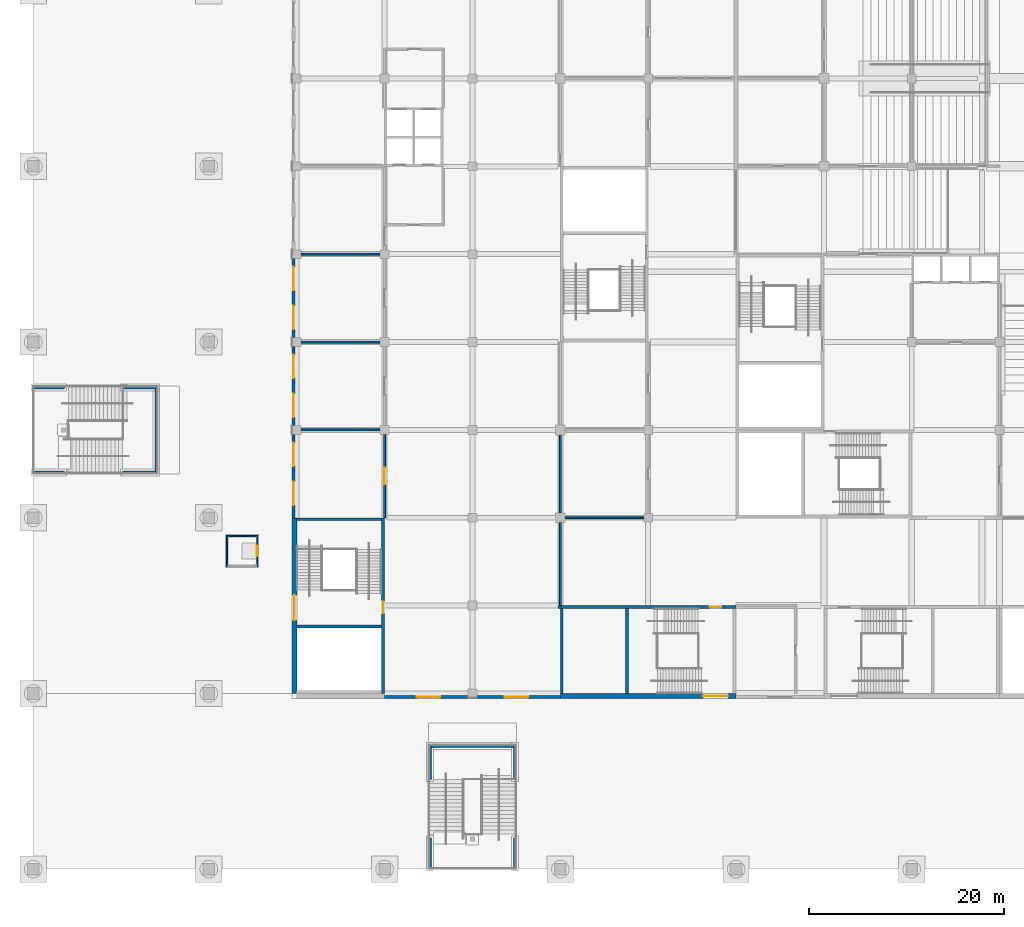
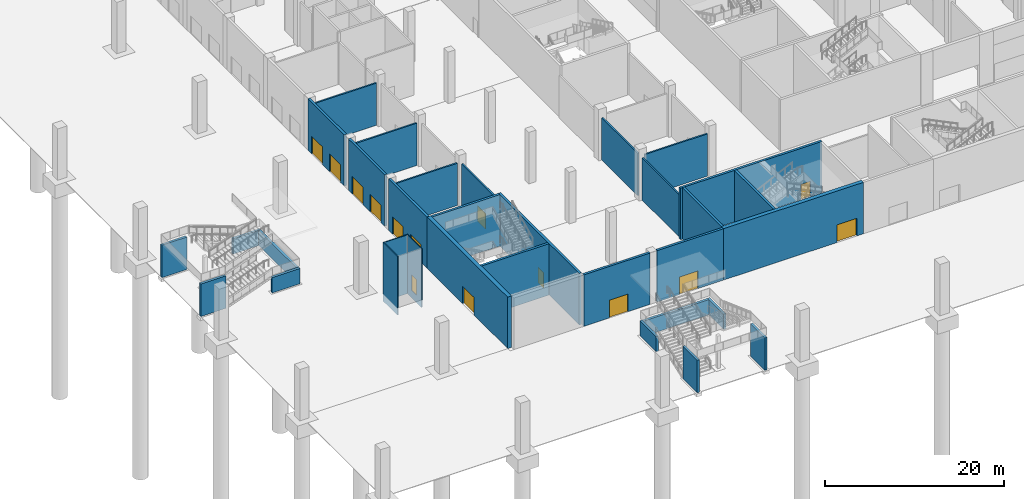
# One storey, part 22 of 92: 33 walls, 14 doors, 14 openings.
"""IFC4 building model written with IfcOpenShell, lengths in metres."""

from ifc_helpers import new_model, si_unit, direction, frame, frame_2d, origin, place, context, subcontext, project, spatial, rectangle, extrude, material, layer, layer_set, type_object, element, fill, save


model = new_model("IFC4")

# Units and contexts
model_context = context("Model", 3, precision=1e-05, world=origin(), true_north=direction((0.0, 1.0)))
body_context = subcontext(model_context, "Body", "Model", "MODEL_VIEW")
ifc_project = project(units=[si_unit("LENGTHUNIT", "METRE"), si_unit("AREAUNIT", "SQUARE_METRE"), si_unit("VOLUMEUNIT", "CUBIC_METRE"), si_unit("PLANEANGLEUNIT", "RADIAN"), si_unit("MASSUNIT", "GRAM", prefix="KILO")], contexts=[model_context])

# Site, building, storey
site_placement = place(None, origin())
site = spatial("IfcSite", under=ifc_project, at=site_placement, CompositionType="ELEMENT")
building_placement = place(site_placement, origin())
building = spatial("IfcBuilding", under=site, at=building_placement, Name="Silverbay Arena", CompositionType="ELEMENT")
storey_placement = place(building_placement, origin())
storey = spatial("IfcBuildingStorey", under=building, at=storey_placement, Name="L00", CompositionType="ELEMENT", Elevation=0.0)

# Wall, opening, door
ifc_material_1 = material(Name="Concrete Grade C45 precast, board-marked finish", Category="concrete")
ifc_layer_1 = layer(ifc_material_1, 0.300048828125)
ifc_layer_set_1 = layer_set([ifc_layer_1], Name="Concrete Grade C45 precast, board-marked finish")
wall_type_1 = type_object("IfcWallType", Name="Board-marked precast wall 300", PredefinedType="SOLIDWALL", material=ifc_layer_set_1)
wall_1_placement = place(storey_placement, frame((36.0, 17.64990234375, 0.0), z_axis=(0.0, 0.0, 1.0), x_axis=(1.0, 0.0, 0.0)))
wall_1 = element("IfcWall", 1, at=wall_1_placement, inside=storey, type_object=wall_type_1, Name="South external wall L00 bay 2", PredefinedType="SOLIDWALL", context=body_context, shape_type="SweptSolid", body=[
    extrude(rectangle(XDim=8.550048828125, YDim=0.300048828125, at=frame_2d((4.27490234375, 0.0))), origin(), (0.0, 0.0, 1.0), 7.0),
])
opening_1_placement = place(wall_1_placement, frame((3.300048828125, 0.0, 0.0)))
opening_1 = element("IfcOpeningElement", 2, at=opening_1_placement, cuts=wall_1, Name="Opening L00-110", PredefinedType="OPENING", context=body_context, shape_type="SweptSolid", body=[
    extrude(rectangle(XDim=2.39990234375, YDim=2.39990234375, at=frame_2d((1.199951171875, 1.199951171875))), frame((0.0, 0.16015625, 0.0), z_axis=(0.0, -1.0, 0.0), x_axis=(1.0, 0.0, 0.0)), (0.0, 0.0, 1.0), 0.320068359375),
])
ifc_material_2 = material(Name="Steel", Category="steel")
door_type_1 = type_object("IfcDoorType", Name="Exit gate door 2400 x 2400", OperationType="DOUBLE_DOOR_SINGLE_SWING", PredefinedType="DOOR", material=ifc_material_2)
door_1_placement = place(opening_1_placement, frame((2.39990234375, 0.0, 0.0), z_axis=(0.0, 0.0, 1.0), x_axis=(-1.0, 0.0, 0.0)))
door_1 = element("IfcDoor", 3, at=door_1_placement, inside=storey, type_object=door_type_1, Name="Pedestrian exit gate G1", OperationType="DOUBLE_DOOR_SINGLE_SWING", OverallHeight=2.39990234375, OverallWidth=2.39990234375, PredefinedType="DOOR", context=body_context, shape_type="SweptSolid", body=[
    extrude(rectangle(XDim=2.39990234375, YDim=2.39990234375, at=frame_2d((1.199951171875, 1.199951171875))), frame((0.0, 0.02490234375, 0.0), z_axis=(0.0, -1.0, 0.0), x_axis=(1.0, 0.0, 0.0)), (0.0, 0.0, 1.0), 0.050048828125),
])
fill(opening_1, door_1)

wall_2_placement = place(storey_placement, frame((45.449951171875, 17.64990234375, 0.0), z_axis=(0.0, 0.0, 1.0), x_axis=(1.0, 0.0, 0.0)))
wall_2 = element("IfcWall", 4, at=wall_2_placement, inside=storey, type_object=wall_type_1, Name="South external wall L00 bay 3", PredefinedType="SOLIDWALL", context=body_context, shape_type="SweptSolid", body=[
    extrude(rectangle(XDim=8.550048828125, YDim=0.300048828125, at=frame_2d((4.27490234375, 0.0))), origin(), (0.0, 0.0, 1.0), 7.0),
])
opening_2_placement = place(wall_2_placement, frame((2.85009765625, 0.0, 0.0)))
opening_2 = element("IfcOpeningElement", 5, at=opening_2_placement, cuts=wall_2, Name="Opening L00-111", PredefinedType="OPENING", context=body_context, shape_type="SweptSolid", body=[
    extrude(rectangle(XDim=2.39990234375, YDim=2.39990234375, at=frame_2d((1.199951171875, 1.199951171875))), frame((0.0, 0.16015625, 0.0), z_axis=(0.0, -1.0, 0.0), x_axis=(1.0, 0.0, 0.0)), (0.0, 0.0, 1.0), 0.320068359375),
])
door_2_placement = place(opening_2_placement, frame((2.39990234375, 0.0, 0.0), z_axis=(0.0, 0.0, 1.0), x_axis=(-1.0, 0.0, 0.0)))
door_2 = element("IfcDoor", 6, at=door_2_placement, inside=storey, type_object=door_type_1, Name="Pedestrian exit gate G2", OperationType="DOUBLE_DOOR_SINGLE_SWING", OverallHeight=2.39990234375, OverallWidth=2.39990234375, PredefinedType="DOOR", context=body_context, shape_type="SweptSolid", body=[
    extrude(rectangle(XDim=2.39990234375, YDim=2.39990234375, at=frame_2d((1.199951171875, 1.199951171875))), frame((0.0, 0.02490234375, 0.0), z_axis=(0.0, -1.0, 0.0), x_axis=(1.0, 0.0, 0.0)), (0.0, 0.0, 1.0), 0.050048828125),
])
fill(opening_2, door_2)

# Wall, openings, doors
wall_3_placement = place(storey_placement, frame((26.64990234375, 44.550048828125, 0.0), z_axis=(0.0, 0.0, 1.0), x_axis=(0.0, -1.0, 0.0)))
wall_3 = element("IfcWall", 7, at=wall_3_placement, inside=storey, type_object=wall_type_1, Name="West external wall L00 bay 3", PredefinedType="SOLIDWALL", context=body_context, shape_type="SweptSolid", body=[
    extrude(rectangle(XDim=8.550048828125, YDim=0.300048828125, at=frame_2d((4.27490234375, 0.0))), origin(), (0.0, 0.0, 1.0), 7.0),
])
opening_3_placement = place(wall_3_placement, frame((4.85009765625, 0.0, 0.0)))
opening_3 = element("IfcOpeningElement", 8, at=opening_3_placement, cuts=wall_3, Name="Opening L00-138", PredefinedType="OPENING", context=body_context, shape_type="SweptSolid", body=[
    extrude(rectangle(XDim=2.39990234375, YDim=2.39990234375, at=frame_2d((1.199951171875, 1.199951171875))), frame((0.0, 0.16015625, 0.0), z_axis=(0.0, -1.0, 0.0), x_axis=(1.0, 0.0, 0.0)), (0.0, 0.0, 1.0), 0.320068359375),
])
opening_4_placement = place(wall_3_placement, frame((0.85009765625, 0.0, 0.0)))
opening_4 = element("IfcOpeningElement", 9, at=opening_4_placement, cuts=wall_3, Name="Opening L00-139", PredefinedType="OPENING", context=body_context, shape_type="SweptSolid", body=[
    extrude(rectangle(XDim=2.39990234375, YDim=2.39990234375, at=frame_2d((1.199951171875, 1.199951171875))), frame((0.0, 0.16015625, 0.0), z_axis=(0.0, -1.0, 0.0), x_axis=(1.0, 0.0, 0.0)), (0.0, 0.0, 1.0), 0.320068359375),
])
door_3_placement = place(opening_3_placement, frame((2.39990234375, 0.0, 0.0), z_axis=(0.0, 0.0, 1.0), x_axis=(-1.0, 0.0, 0.0)))
door_3 = element("IfcDoor", 10, at=door_3_placement, inside=storey, type_object=door_type_1, Name="Pedestrian exit gate G9", OperationType="DOUBLE_DOOR_SINGLE_SWING", OverallHeight=2.39990234375, OverallWidth=2.39990234375, PredefinedType="DOOR", context=body_context, shape_type="SweptSolid", body=[
    extrude(rectangle(XDim=2.39990234375, YDim=2.39990234375, at=frame_2d((1.199951171875, 1.199951171875))), frame((0.0, 0.02490234375, 0.0), z_axis=(0.0, -1.0, 0.0), x_axis=(1.0, 0.0, 0.0)), (0.0, 0.0, 1.0), 0.050048828125),
])
fill(opening_3, door_3)
door_4_placement = place(opening_4_placement, frame((2.39990234375, 0.0, 0.0), z_axis=(0.0, 0.0, 1.0), x_axis=(-1.0, 0.0, 0.0)))
door_4 = element("IfcDoor", 11, at=door_4_placement, inside=storey, type_object=door_type_1, Name="Pedestrian exit gate G10", OperationType="DOUBLE_DOOR_SINGLE_SWING", OverallHeight=2.39990234375, OverallWidth=2.39990234375, PredefinedType="DOOR", context=body_context, shape_type="SweptSolid", body=[
    extrude(rectangle(XDim=2.39990234375, YDim=2.39990234375, at=frame_2d((1.199951171875, 1.199951171875))), frame((0.0, 0.02490234375, 0.0), z_axis=(0.0, -1.0, 0.0), x_axis=(1.0, 0.0, 0.0)), (0.0, 0.0, 1.0), 0.050048828125),
])
fill(opening_4, door_4)

wall_4_placement = place(storey_placement, frame((26.64990234375, 53.550048828125, 0.0), z_axis=(0.0, 0.0, 1.0), x_axis=(0.0, -1.0, 0.0)))
wall_4 = element("IfcWall", 12, at=wall_4_placement, inside=storey, type_object=wall_type_1, Name="West external wall L00 bay 4", PredefinedType="SOLIDWALL", context=body_context, shape_type="SweptSolid", body=[
    extrude(rectangle(XDim=8.10009765625, YDim=0.300048828125, at=frame_2d((4.050048828125, 0.0))), origin(), (0.0, 0.0, 1.0), 7.0),
])
opening_5_placement = place(wall_4_placement, frame((4.85009765625, 0.0, 0.0)))
opening_5 = element("IfcOpeningElement", 13, at=opening_5_placement, cuts=wall_4, Name="Opening L00-140", PredefinedType="OPENING", context=body_context, shape_type="SweptSolid", body=[
    extrude(rectangle(XDim=2.39990234375, YDim=2.39990234375, at=frame_2d((1.199951171875, 1.199951171875))), frame((0.0, 0.16015625, 0.0), z_axis=(0.0, -1.0, 0.0), x_axis=(1.0, 0.0, 0.0)), (0.0, 0.0, 1.0), 0.320068359375),
])
opening_6_placement = place(wall_4_placement, frame((0.85009765625, 0.0, 0.0)))
opening_6 = element("IfcOpeningElement", 14, at=opening_6_placement, cuts=wall_4, Name="Opening L00-141", PredefinedType="OPENING", context=body_context, shape_type="SweptSolid", body=[
    extrude(rectangle(XDim=2.39990234375, YDim=2.39990234375, at=frame_2d((1.199951171875, 1.199951171875))), frame((0.0, 0.16015625, 0.0), z_axis=(0.0, -1.0, 0.0), x_axis=(1.0, 0.0, 0.0)), (0.0, 0.0, 1.0), 0.320068359375),
])
door_5_placement = place(opening_5_placement, frame((2.39990234375, 0.0, 0.0), z_axis=(0.0, 0.0, 1.0), x_axis=(-1.0, 0.0, 0.0)))
door_5 = element("IfcDoor", 15, at=door_5_placement, inside=storey, type_object=door_type_1, Name="Pedestrian exit gate G11", OperationType="DOUBLE_DOOR_SINGLE_SWING", OverallHeight=2.39990234375, OverallWidth=2.39990234375, PredefinedType="DOOR", context=body_context, shape_type="SweptSolid", body=[
    extrude(rectangle(XDim=2.39990234375, YDim=2.39990234375, at=frame_2d((1.199951171875, 1.199951171875))), frame((0.0, 0.02490234375, 0.0), z_axis=(0.0, -1.0, 0.0), x_axis=(1.0, 0.0, 0.0)), (0.0, 0.0, 1.0), 0.050048828125),
])
fill(opening_5, door_5)
door_6_placement = place(opening_6_placement, frame((2.39990234375, 0.0, 0.0), z_axis=(0.0, 0.0, 1.0), x_axis=(-1.0, 0.0, 0.0)))
door_6 = element("IfcDoor", 16, at=door_6_placement, inside=storey, type_object=door_type_1, Name="Pedestrian exit gate G12", OperationType="DOUBLE_DOOR_SINGLE_SWING", OverallHeight=2.39990234375, OverallWidth=2.39990234375, PredefinedType="DOOR", context=body_context, shape_type="SweptSolid", body=[
    extrude(rectangle(XDim=2.39990234375, YDim=2.39990234375, at=frame_2d((1.199951171875, 1.199951171875))), frame((0.0, 0.02490234375, 0.0), z_axis=(0.0, -1.0, 0.0), x_axis=(1.0, 0.0, 0.0)), (0.0, 0.0, 1.0), 0.050048828125),
])
fill(opening_6, door_6)

wall_5_placement = place(storey_placement, frame((26.64990234375, 62.550048828125, 0.0), z_axis=(0.0, 0.0, 1.0), x_axis=(0.0, -1.0, 0.0)))
wall_5 = element("IfcWall", 17, at=wall_5_placement, inside=storey, type_object=wall_type_1, Name="West external wall L00 bay 5", PredefinedType="SOLIDWALL", context=body_context, shape_type="SweptSolid", body=[
    extrude(rectangle(XDim=8.10009765625, YDim=0.300048828125, at=frame_2d((4.050048828125, 0.0))), origin(), (0.0, 0.0, 1.0), 7.0),
])
opening_7_placement = place(wall_5_placement, frame((4.85009765625, 0.0, 0.0)))
opening_7 = element("IfcOpeningElement", 18, at=opening_7_placement, cuts=wall_5, Name="Opening L00-142", PredefinedType="OPENING", context=body_context, shape_type="SweptSolid", body=[
    extrude(rectangle(XDim=2.39990234375, YDim=2.39990234375, at=frame_2d((1.199951171875, 1.199951171875))), frame((0.0, 0.16015625, 0.0), z_axis=(0.0, -1.0, 0.0), x_axis=(1.0, 0.0, 0.0)), (0.0, 0.0, 1.0), 0.320068359375),
])
opening_8_placement = place(wall_5_placement, frame((0.85009765625, 0.0, 0.0)))
opening_8 = element("IfcOpeningElement", 19, at=opening_8_placement, cuts=wall_5, Name="Opening L00-143", PredefinedType="OPENING", context=body_context, shape_type="SweptSolid", body=[
    extrude(rectangle(XDim=2.39990234375, YDim=2.39990234375, at=frame_2d((1.199951171875, 1.199951171875))), frame((0.0, 0.16015625, 0.0), z_axis=(0.0, -1.0, 0.0), x_axis=(1.0, 0.0, 0.0)), (0.0, 0.0, 1.0), 0.320068359375),
])
door_7_placement = place(opening_7_placement, frame((2.39990234375, 0.0, 0.0), z_axis=(0.0, 0.0, 1.0), x_axis=(-1.0, 0.0, 0.0)))
door_7 = element("IfcDoor", 20, at=door_7_placement, inside=storey, type_object=door_type_1, Name="Pedestrian exit gate G13", OperationType="DOUBLE_DOOR_SINGLE_SWING", OverallHeight=2.39990234375, OverallWidth=2.39990234375, PredefinedType="DOOR", context=body_context, shape_type="SweptSolid", body=[
    extrude(rectangle(XDim=2.39990234375, YDim=2.39990234375, at=frame_2d((1.199951171875, 1.199951171875))), frame((0.0, 0.02490234375, 0.0), z_axis=(0.0, -1.0, 0.0), x_axis=(1.0, 0.0, 0.0)), (0.0, 0.0, 1.0), 0.050048828125),
])
fill(opening_7, door_7)
door_8_placement = place(opening_8_placement, frame((2.39990234375, 0.0, 0.0), z_axis=(0.0, 0.0, 1.0), x_axis=(-1.0, 0.0, 0.0)))
door_8 = element("IfcDoor", 21, at=door_8_placement, inside=storey, type_object=door_type_1, Name="Pedestrian exit gate G14", OperationType="DOUBLE_DOOR_SINGLE_SWING", OverallHeight=2.39990234375, OverallWidth=2.39990234375, PredefinedType="DOOR", context=body_context, shape_type="SweptSolid", body=[
    extrude(rectangle(XDim=2.39990234375, YDim=2.39990234375, at=frame_2d((1.199951171875, 1.199951171875))), frame((0.0, 0.02490234375, 0.0), z_axis=(0.0, -1.0, 0.0), x_axis=(1.0, 0.0, 0.0)), (0.0, 0.0, 1.0), 0.050048828125),
])
fill(opening_8, door_8)

# Wall, opening, door
ifc_material_3 = material(Name="Concrete Grade C45", Category="concrete")
ifc_layer_2 = layer(ifc_material_3, 0.300048828125)
ifc_layer_set_2 = layer_set([ifc_layer_2], Name="Concrete Grade C45")
wall_type_2 = type_object("IfcWallType", Name="Core wall RC 300 EI 120", PredefinedType="SHEAR", material=ifc_layer_set_2)
wall_6_placement = place(storey_placement, frame((72.0, 26.85009765625, 0.0), z_axis=(0.0, 0.0, 1.0), x_axis=(-1.0, 0.0, 0.0)))
wall_6 = element("IfcWall", 22, at=wall_6_placement, inside=storey, type_object=wall_type_2, Name="Core wall ST-S5 L00 door side", PredefinedType="SHEAR", context=body_context, shape_type="SweptSolid", body=[
    extrude(rectangle(XDim=18.25, YDim=0.300048828125, at=frame_2d((9.125, 0.0))), origin(), (0.0, 0.0, 1.0), 7.0),
])
opening_9_placement = place(wall_6_placement, frame((1.5, 0.0, 0.0)))
opening_9 = element("IfcOpeningElement", 23, at=opening_9_placement, cuts=wall_6, Name="Opening L00-174", PredefinedType="OPENING", context=body_context, shape_type="SweptSolid", body=[
    extrude(rectangle(XDim=1.199951171875, YDim=2.10009765625, at=frame_2d((0.60009765625, 1.050048828125))), frame((0.0, 0.16015625, 0.0), z_axis=(0.0, -1.0, 0.0), x_axis=(1.0, 0.0, 0.0)), (0.0, 0.0, 1.0), 0.320068359375),
])
ifc_material_4 = material(Name="Steel fire door", Category="steel")
door_type_2 = type_object("IfcDoorType", Name="Stair door 1200 x 2100 fire door", OperationType="SINGLE_SWING_LEFT", PredefinedType="DOOR", material=ifc_material_4)
door_9_placement = place(opening_9_placement, origin())
door_9 = element("IfcDoor", 24, at=door_9_placement, inside=storey, type_object=door_type_2, Name="Stair door ST-S5 L00", OperationType="SINGLE_SWING_LEFT", OverallHeight=2.10009765625, OverallWidth=1.199951171875, PredefinedType="DOOR", context=body_context, shape_type="SweptSolid", body=[
    extrude(rectangle(XDim=1.199951171875, YDim=2.10009765625, at=frame_2d((0.60009765625, 1.050048828125))), frame((0.0, 0.02490234375, 0.0), z_axis=(0.0, -1.0, 0.0), x_axis=(1.0, 0.0, 0.0)), (0.0, 0.0, 1.0), 0.050048828125),
])
fill(opening_9, door_9)

# Walls
for number, where, z_axis, x_axis, name in (
    (25, (54.14990234375, 26.699951171875, 0.0), (0.0, 0.0, 1.0), (0.0, -1.0, 0.0), "Core wall ST-S5 L00 end 2"),
    (26, (60.85009765625, 26.699951171875, 0.0), (0.0, 0.0, 1.0), (0.0, -1.0, 0.0), "Core wall ST-S5 L00 stair enclosure"),
):
    element("IfcWall", number, at=place(storey_placement, frame(where, z_axis=z_axis, x_axis=x_axis)), inside=storey, type_object=wall_type_2, Name=name, PredefinedType="SHEAR", context=body_context, shape_type="SweptSolid", body=[
        extrude(rectangle(XDim=8.699951171875, YDim=0.300048828125, at=frame_2d((4.35009765625, 0.0))), origin(), (0.0, 0.0, 1.0), 7.0),
    ])

# Wall, opening, door
wall_7_placement = place(storey_placement, frame((35.85009765625, 36.0, 0.0), z_axis=(0.0, 0.0, 1.0), x_axis=(0.0, -1.0, 0.0)))
wall_7 = element("IfcWall", 27, at=wall_7_placement, inside=storey, type_object=wall_type_2, Name="Core wall ST-WG1 L00 door side", PredefinedType="SHEAR", context=body_context, shape_type="SweptSolid", body=[
    extrude(rectangle(XDim=18.0, YDim=0.300048828125, at=frame_2d((9.0, 0.0))), origin(), (0.0, 0.0, 1.0), 7.0),
])
opening_10_placement = place(wall_7_placement, frame((8.60009765625, 0.0, 0.0)))
opening_10 = element("IfcOpeningElement", 28, at=opening_10_placement, cuts=wall_7, Name="Opening L00-194", PredefinedType="OPENING", context=body_context, shape_type="SweptSolid", body=[
    extrude(rectangle(XDim=1.199951171875, YDim=2.10009765625, at=frame_2d((0.60009765625, 1.050048828125))), frame((0.0, 0.16015625, 0.0), z_axis=(0.0, -1.0, 0.0), x_axis=(1.0, 0.0, 0.0)), (0.0, 0.0, 1.0), 0.320068359375),
])
door_10_placement = place(opening_10_placement, frame((1.199951171875, 0.0, 0.0), z_axis=(0.0, 0.0, 1.0), x_axis=(-1.0, 0.0, 0.0)))
door_10 = element("IfcDoor", 29, at=door_10_placement, inside=storey, type_object=door_type_2, Name="Stair door ST-WG1 L00", OperationType="SINGLE_SWING_LEFT", OverallHeight=2.10009765625, OverallWidth=1.199951171875, PredefinedType="DOOR", context=body_context, shape_type="SweptSolid", body=[
    extrude(rectangle(XDim=1.199951171875, YDim=2.10009765625, at=frame_2d((0.60009765625, 1.050048828125))), frame((0.0, 0.02490234375, 0.0), z_axis=(0.0, -1.0, 0.0), x_axis=(1.0, 0.0, 0.0)), (0.0, 0.0, 1.0), 0.050048828125),
])
fill(opening_10, door_10)

# Walls
for number, where, z_axis, x_axis, name in (
    (30, (35.699951171875, 35.85009765625, 0.0), (0.0, 0.0, 1.0), (-1.0, 0.0, 0.0), "Core wall ST-WG1 L00 end 1"),
    (31, (35.699951171875, 24.85009765625, 0.0), (0.0, 0.0, 1.0), (-1.0, 0.0, 0.0), "Core wall ST-WG1 L00 stair enclosure"),
):
    element("IfcWall", number, at=place(storey_placement, frame(where, z_axis=z_axis, x_axis=x_axis)), inside=storey, type_object=wall_type_2, Name=name, PredefinedType="SHEAR", context=body_context, shape_type="SweptSolid", body=[
        extrude(rectangle(XDim=8.699951171875, YDim=0.300048828125, at=frame_2d((4.35009765625, 0.0))), origin(), (0.0, 0.0, 1.0), 7.0),
    ])

# Wall, opening, door
ifc_material_5 = material(Name="Concrete Grade C45", Category="concrete")
ifc_layer_3 = layer(ifc_material_5, 0.5)
ifc_layer_set_3 = layer_set([ifc_layer_3], Name="Concrete Grade C45")
wall_type_3 = type_object("IfcWallType", Name="Core wall RC 500 external EI 120", PredefinedType="SHEAR", material=ifc_layer_set_3)
wall_8_placement = place(storey_placement, frame((72.0, 17.75, 0.0), z_axis=(0.0, 0.0, 1.0), x_axis=(-1.0, 0.0, 0.0)))
wall_8 = element("IfcWall", 32, at=wall_8_placement, inside=storey, type_object=wall_type_3, Name="Core wall ST-S5 L00 facade side", PredefinedType="SHEAR", context=body_context, shape_type="SweptSolid", body=[
    extrude(rectangle(XDim=18.0, YDim=0.5, at=frame_2d((9.0, 0.0))), origin(), (0.0, 0.0, 1.0), 7.0),
])
opening_11_placement = place(wall_8_placement, frame((0.800048828125, 0.0, 0.0)))
opening_11 = element("IfcOpeningElement", 33, at=opening_11_placement, cuts=wall_8, Name="Opening L00-175", PredefinedType="OPENING", context=body_context, shape_type="SweptSolid", body=[
    extrude(rectangle(XDim=2.60009765625, YDim=2.39990234375, at=frame_2d((1.300048828125, 1.199951171875))), frame((0.0, 0.260009765625, 0.0), z_axis=(0.0, -1.0, 0.0), x_axis=(1.0, 0.0, 0.0)), (0.0, 0.0, 1.0), 0.52001953125),
])
ifc_material_6 = material(Name="Steel and glass", Category="steel")
door_type_3 = type_object("IfcDoorType", Name="Exit door double leaf 2600 x 2400", OperationType="DOUBLE_DOOR_SINGLE_SWING", PredefinedType="DOOR", material=ifc_material_6)
door_11_placement = place(opening_11_placement, origin())
door_11 = element("IfcDoor", 34, at=door_11_placement, inside=storey, type_object=door_type_3, Name="Pedestrian exit gate G73", OperationType="DOUBLE_DOOR_SINGLE_SWING", OverallHeight=2.39990234375, OverallWidth=2.60009765625, PredefinedType="DOOR", context=body_context, shape_type="SweptSolid", body=[
    extrude(rectangle(XDim=2.60009765625, YDim=2.39990234375, at=frame_2d((1.300048828125, 1.199951171875))), frame((0.0, 0.02490234375, 0.0), z_axis=(0.0, -1.0, 0.0), x_axis=(1.0, 0.0, 0.0)), (0.0, 0.0, 1.0), 0.050048828125),
])
fill(opening_11, door_11)

wall_9_placement = place(storey_placement, frame((26.75, 36.0, 0.0), z_axis=(0.0, 0.0, 1.0), x_axis=(0.0, -1.0, 0.0)))
wall_9 = element("IfcWall", 35, at=wall_9_placement, inside=storey, type_object=wall_type_3, Name="Core wall ST-WG1 L00 facade side", PredefinedType="SHEAR", context=body_context, shape_type="SweptSolid", body=[
    extrude(rectangle(XDim=18.0, YDim=0.5, at=frame_2d((9.0, 0.0))), origin(), (0.0, 0.0, 1.0), 7.0),
])
opening_12_placement = place(wall_9_placement, frame((7.89990234375, 0.0, 0.0)))
opening_12 = element("IfcOpeningElement", 36, at=opening_12_placement, cuts=wall_9, Name="Opening L00-195", PredefinedType="OPENING", context=body_context, shape_type="SweptSolid", body=[
    extrude(rectangle(XDim=2.60009765625, YDim=2.39990234375, at=frame_2d((1.300048828125, 1.199951171875))), frame((0.0, 0.260009765625, 0.0), z_axis=(0.0, -1.0, 0.0), x_axis=(1.0, 0.0, 0.0)), (0.0, 0.0, 1.0), 0.52001953125),
])
door_12_placement = place(opening_12_placement, frame((2.60009765625, 0.0, 0.0), z_axis=(0.0, 0.0, 1.0), x_axis=(-1.0, 0.0, 0.0)))
door_12 = element("IfcDoor", 37, at=door_12_placement, inside=storey, type_object=door_type_3, Name="Pedestrian exit gate G69", OperationType="DOUBLE_DOOR_SINGLE_SWING", OverallHeight=2.39990234375, OverallWidth=2.60009765625, PredefinedType="DOOR", context=body_context, shape_type="SweptSolid", body=[
    extrude(rectangle(XDim=2.60009765625, YDim=2.39990234375, at=frame_2d((1.300048828125, 1.199951171875))), frame((0.0, 0.02490234375, 0.0), z_axis=(0.0, -1.0, 0.0), x_axis=(1.0, 0.0, 0.0)), (0.0, 0.0, 1.0), 0.050048828125),
])
fill(opening_12, door_12)

ifc_material_7 = material(Name="Glass and aluminium", Category="aluminium")
ifc_layer_4 = layer(ifc_material_7, 0.1201171875)
ifc_layer_set_4 = layer_set([ifc_layer_4], Name="Glass and aluminium")
wall_type_4 = type_object("IfcWallType", Name="Fire-resisting glazed lift enclosure 120", PredefinedType="PARTITIONING", material=ifc_layer_set_4)
wall_10_placement = place(storey_placement, frame((22.93994140625, 30.989990234375, -1.0), z_axis=(0.0, 0.0, 1.0), x_axis=(0.0, 1.0, 0.0)))
wall_10 = element("IfcWall", 38, at=wall_10_placement, inside=storey, type_object=wall_type_4, Name="Glazed lift enclosure LB-D1 L00 landing side", PredefinedType="PARTITIONING", context=body_context, shape_type="SweptSolid", body=[
    extrude(rectangle(XDim=3.219970703125, YDim=0.1201171875, at=frame_2d((1.60986328125, 0.0))), origin(), (0.0, 0.0, 1.0), 8.0),
])
opening_13_placement = place(wall_10_placement, frame((1.06005859375, 0.0, 1.0)))
opening_13 = element("IfcOpeningElement", 39, at=opening_13_placement, cuts=wall_10, Name="Opening L00-222", PredefinedType="OPENING", context=body_context, shape_type="SweptSolid", body=[
    extrude(rectangle(XDim=1.10009765625, YDim=2.10009765625, at=frame_2d((0.550048828125, 1.050048828125))), frame((0.0, 0.070068359375, 0.0), z_axis=(0.0, -1.0, 0.0), x_axis=(1.0, 0.0, 0.0)), (0.0, 0.0, 1.0), 0.14013671875),
])
ifc_material_8 = material(Name="Stainless steel", Category="steel")
door_type_4 = type_object("IfcDoorType", Name="LD1 lift landing door 1100 x 2100", OperationType="DOUBLE_DOOR_SLIDING", PredefinedType="DOOR", material=ifc_material_8)
door_13_placement = place(opening_13_placement, origin())
door_13 = element("IfcDoor", 40, at=door_13_placement, inside=storey, type_object=door_type_4, Name="Lift landing door LF25 L00", OperationType="DOUBLE_DOOR_SLIDING", OverallHeight=2.10009765625, OverallWidth=1.10009765625, PredefinedType="DOOR", context=body_context, shape_type="SweptSolid", body=[
    extrude(rectangle(XDim=1.10009765625, YDim=2.10009765625, at=frame_2d((0.550048828125, 1.050048828125))), frame((0.0, 0.02490234375, 0.0), z_axis=(0.0, -1.0, 0.0), x_axis=(1.0, 0.0, 0.0)), (0.0, 0.0, 1.0), 0.050048828125),
])
fill(opening_13, door_13)

# Walls
wall_11_placement = place(storey_placement, frame((19.860107421875, 30.989990234375, -1.0), z_axis=(0.0, 0.0, 1.0), x_axis=(0.0, 1.0, 0.0)))
element("IfcWall", 41, at=wall_11_placement, inside=storey, type_object=wall_type_4, Name="Glazed lift enclosure LB-D1 L00 back", PredefinedType="PARTITIONING", context=body_context, shape_type="SweptSolid", body=[
    extrude(rectangle(XDim=3.219970703125, YDim=0.1201171875, at=frame_2d((1.60986328125, 0.0))), origin(), (0.0, 0.0, 1.0), 8.0),
])
wall_12_placement = place(storey_placement, frame((19.919921875, 34.139892578125, -1.0), z_axis=(0.0, 0.0, 1.0), x_axis=(1.0, 0.0, 0.0)))
element("IfcWall", 42, at=wall_12_placement, inside=storey, type_object=wall_type_4, Name="Glazed lift enclosure LB-D1 L00 north", PredefinedType="PARTITIONING", context=body_context, shape_type="SweptSolid", body=[
    extrude(rectangle(XDim=2.9599609375, YDim=0.1201171875, at=frame_2d((1.47998046875, 0.0))), origin(), (0.0, 0.0, 1.0), 8.0),
])
ifc_material_9 = material(Name="Concrete Grade C45", Category="concrete")
ifc_layer_5 = layer(ifc_material_9, 0.300048828125)
ifc_layer_set_5 = layer_set([ifc_layer_5], Name="Concrete Grade C45")
wall_type_5 = type_object("IfcWallType", Name="Landing support wall RC 300 EI 120", PredefinedType="SHEAR", material=ifc_layer_set_5)
for number, where, z_axis, x_axis, name in (
    (43, (0.0, 40.64990234375, 0.0), (0.0, 0.0, 1.0), (1.0, 0.0, 0.0), "Deck stair DS1 landing support wall"),
    (44, (0.0, 49.35009765625, 0.0), (0.0, 0.0, 1.0), (1.0, 0.0, 0.0), "Deck stair DS1 landing support wall"),
):
    element("IfcWall", number, at=place(storey_placement, frame(where, z_axis=z_axis, x_axis=x_axis)), inside=storey, type_object=wall_type_5, Name=name, PredefinedType="SHEAR", context=body_context, shape_type="SweptSolid", body=[
        extrude(rectangle(XDim=3.199951171875, YDim=0.300048828125, at=frame_2d((1.60009765625, 0.0))), origin(), (0.0, 0.0, 1.0), 4.416748046875),
    ])
for number, where, z_axis, x_axis, name in (
    (45, (9.162109375, 40.64990234375, 0.0), (0.0, 0.0, 1.0), (1.0, 0.0, 0.0), "Deck stair DS1 landing support wall"),
    (46, (9.162109375, 49.35009765625, 0.0), (0.0, 0.0, 1.0), (1.0, 0.0, 0.0), "Deck stair DS1 landing support wall"),
):
    element("IfcWall", number, at=place(storey_placement, frame(where, z_axis=z_axis, x_axis=x_axis)), inside=storey, type_object=wall_type_5, Name=name, PredefinedType="SHEAR", context=body_context, shape_type="SweptSolid", body=[
        extrude(rectangle(XDim=3.599853515625, YDim=0.300048828125, at=frame_2d((1.7998046875, 0.0))), origin(), (0.0, 0.0, 1.0), 2.083251953125),
    ])
wall_13_placement = place(storey_placement, frame((12.612060546875, 40.800048828125, 0.0), z_axis=(0.0, 0.0, 1.0), x_axis=(0.0, 1.0, 0.0)))
element("IfcWall", 47, at=wall_13_placement, inside=storey, type_object=wall_type_5, Name="Deck stair DS1 landing support wall", PredefinedType="SHEAR", context=body_context, shape_type="SweptSolid", body=[
    extrude(rectangle(XDim=8.39990234375, YDim=0.300048828125, at=frame_2d((4.199951171875, 0.0))), origin(), (0.0, 0.0, 1.0), 2.083251953125),
])
for number, where, z_axis, x_axis, name in (
    (48, (40.64990234375, 0.0, 0.0), (0.0, 0.0, 1.0), (0.0, 1.0, 0.0), "Deck stair DS3 landing support wall"),
    (49, (49.35009765625, 0.0, 0.0), (0.0, 0.0, 1.0), (0.0, 1.0, 0.0), "Deck stair DS3 landing support wall"),
):
    element("IfcWall", number, at=place(storey_placement, frame(where, z_axis=z_axis, x_axis=x_axis)), inside=storey, type_object=wall_type_5, Name=name, PredefinedType="SHEAR", context=body_context, shape_type="SweptSolid", body=[
        extrude(rectangle(XDim=3.199951171875, YDim=0.300048828125, at=frame_2d((1.60009765625, 0.0))), origin(), (0.0, 0.0, 1.0), 4.416748046875),
    ])
for number, where, z_axis, x_axis, name in (
    (50, (40.64990234375, 9.162109375, 0.0), (0.0, 0.0, 1.0), (0.0, 1.0, 0.0), "Deck stair DS3 landing support wall"),
    (51, (49.35009765625, 9.162109375, 0.0), (0.0, 0.0, 1.0), (0.0, 1.0, 0.0), "Deck stair DS3 landing support wall"),
):
    element("IfcWall", number, at=place(storey_placement, frame(where, z_axis=z_axis, x_axis=x_axis)), inside=storey, type_object=wall_type_5, Name=name, PredefinedType="SHEAR", context=body_context, shape_type="SweptSolid", body=[
        extrude(rectangle(XDim=3.599853515625, YDim=0.300048828125, at=frame_2d((1.7998046875, 0.0))), origin(), (0.0, 0.0, 1.0), 2.083251953125),
    ])
wall_14_placement = place(storey_placement, frame((40.800048828125, 12.612060546875, 0.0), z_axis=(0.0, 0.0, 1.0), x_axis=(1.0, 0.0, 0.0)))
element("IfcWall", 52, at=wall_14_placement, inside=storey, type_object=wall_type_5, Name="Deck stair DS3 landing support wall", PredefinedType="SHEAR", context=body_context, shape_type="SweptSolid", body=[
    extrude(rectangle(XDim=8.39990234375, YDim=0.300048828125, at=frame_2d((4.199951171875, 0.0))), origin(), (0.0, 0.0, 1.0), 2.083251953125),
])
ifc_material_10 = material(Name="Masonry blockwork partition", Category="masonry")
ifc_layer_6 = layer(ifc_material_10, 0.199951171875)
ifc_layer_set_6 = layer_set([ifc_layer_6], Name="Masonry blockwork partition")
wall_type_6 = type_object("IfcWallType", Name="Partition 200 EI 120", PredefinedType="PARTITIONING", material=ifc_layer_set_6)
wall_15_placement = place(storey_placement, frame((54.5, 36.0, 0.0), z_axis=(0.0, 0.0, 1.0), x_axis=(1.0, 0.0, 0.0)))
element("IfcWall", 53, at=wall_15_placement, inside=storey, type_object=wall_type_6, Name="Partition wall", PredefinedType="PARTITIONING", context=body_context, shape_type="SweptSolid", body=[
    extrude(rectangle(XDim=8.050048828125, YDim=0.199951171875, at=frame_2d((4.02490234375, 0.0))), origin(), (0.0, 0.0, 1.0), 5.75),
])
wall_16_placement = place(storey_placement, frame((54.0, 27.0, 0.0), z_axis=(0.0, 0.0, 1.0), x_axis=(0.0, 1.0, 0.0)))
element("IfcWall", 54, at=wall_16_placement, inside=storey, type_object=wall_type_6, Name="Partition wall", PredefinedType="PARTITIONING", context=body_context, shape_type="SweptSolid", body=[
    extrude(rectangle(XDim=8.5, YDim=0.199951171875, at=frame_2d((4.25, 0.0))), origin(), (0.0, 0.0, 1.0), 5.75),
])
wall_17_placement = place(storey_placement, frame((54.0, 36.5, 0.0), z_axis=(0.0, 0.0, 1.0), x_axis=(0.0, 1.0, 0.0)))
element("IfcWall", 55, at=wall_17_placement, inside=storey, type_object=wall_type_6, Name="Partition wall", PredefinedType="PARTITIONING", context=body_context, shape_type="SweptSolid", body=[
    extrude(rectangle(XDim=8.0, YDim=0.199951171875, at=frame_2d((4.0, 0.0))), origin(), (0.0, 0.0, 1.0), 5.75),
])
ifc_material_11 = material(Name="Gypsum board partition on steel studs", Category="steel")
ifc_layer_7 = layer(ifc_material_11, 0.199951171875)
ifc_layer_set_7 = layer_set([ifc_layer_7], Name="Gypsum board partition on steel studs")
wall_type_7 = type_object("IfcWallType", Name="Partition 200 EI 60", PredefinedType="PARTITIONING", material=ifc_layer_set_7)
for number, where, z_axis, x_axis, name in (
    (56, (27.449951171875, 45.0, 0.0), (0.0, 0.0, 1.0), (1.0, 0.0, 0.0), "Partition wall"),
    (57, (27.449951171875, 54.0, 0.0), (0.0, 0.0, 1.0), (1.0, 0.0, 0.0), "Partition wall"),
    (58, (27.449951171875, 63.0, 0.0), (0.0, 0.0, 1.0), (1.0, 0.0, 0.0), "Partition wall"),
):
    element("IfcWall", number, at=place(storey_placement, frame(where, z_axis=z_axis, x_axis=x_axis)), inside=storey, type_object=wall_type_7, Name=name, PredefinedType="PARTITIONING", context=body_context, shape_type="SweptSolid", body=[
        extrude(rectangle(XDim=8.10009765625, YDim=0.199951171875, at=frame_2d((4.050048828125, 0.0))), origin(), (0.0, 0.0, 1.0), 5.75),
    ])

# Wall, opening, door
wall_18_placement = place(storey_placement, frame((36.0, 36.0, 0.0), z_axis=(0.0, 0.0, 1.0), x_axis=(0.0, 1.0, 0.0)))
wall_18 = element("IfcWall", 59, at=wall_18_placement, inside=storey, type_object=wall_type_7, Name="Partition wall", PredefinedType="PARTITIONING", context=body_context, shape_type="SweptSolid", body=[
    extrude(rectangle(XDim=8.550048828125, YDim=0.199951171875, at=frame_2d((4.27490234375, 0.0))), origin(), (0.0, 0.0, 1.0), 5.75),
])
opening_14_placement = place(wall_18_placement, frame((3.375, 0.0, 0.0)))
opening_14 = element("IfcOpeningElement", 60, at=opening_14_placement, cuts=wall_18, Name="Opening L00-048", PredefinedType="OPENING", context=body_context, shape_type="SweptSolid", body=[
    extrude(rectangle(XDim=1.800048828125, YDim=2.10009765625, at=frame_2d((0.89990234375, 1.050048828125))), frame((0.0, 0.10986328125, 0.0), z_axis=(0.0, -1.0, 0.0), x_axis=(1.0, 0.0, 0.0)), (0.0, 0.0, 1.0), 0.219970703125),
])
ifc_material_12 = material(Name="Steel faced timber", Category="steel")
door_type_5 = type_object("IfcDoorType", Name="Double leaf door 1800 x 2100 FD30S", OperationType="DOUBLE_DOOR_DOUBLE_SWING", PredefinedType="DOOR", material=ifc_material_12)
door_14_placement = place(opening_14_placement, origin())
door_14 = element("IfcDoor", 61, at=door_14_placement, inside=storey, type_object=door_type_5, Name="Door L00-048", OperationType="DOUBLE_DOOR_DOUBLE_SWING", OverallHeight=2.10009765625, OverallWidth=1.800048828125, PredefinedType="DOOR", context=body_context, shape_type="SweptSolid", body=[
    extrude(rectangle(XDim=1.800048828125, YDim=2.10009765625, at=frame_2d((0.89990234375, 1.050048828125))), frame((0.0, 0.02490234375, 0.0), z_axis=(0.0, -1.0, 0.0), x_axis=(1.0, 0.0, 0.0)), (0.0, 0.0, 1.0), 0.050048828125),
])
fill(opening_14, door_14)

save(model, "model.ifc")
